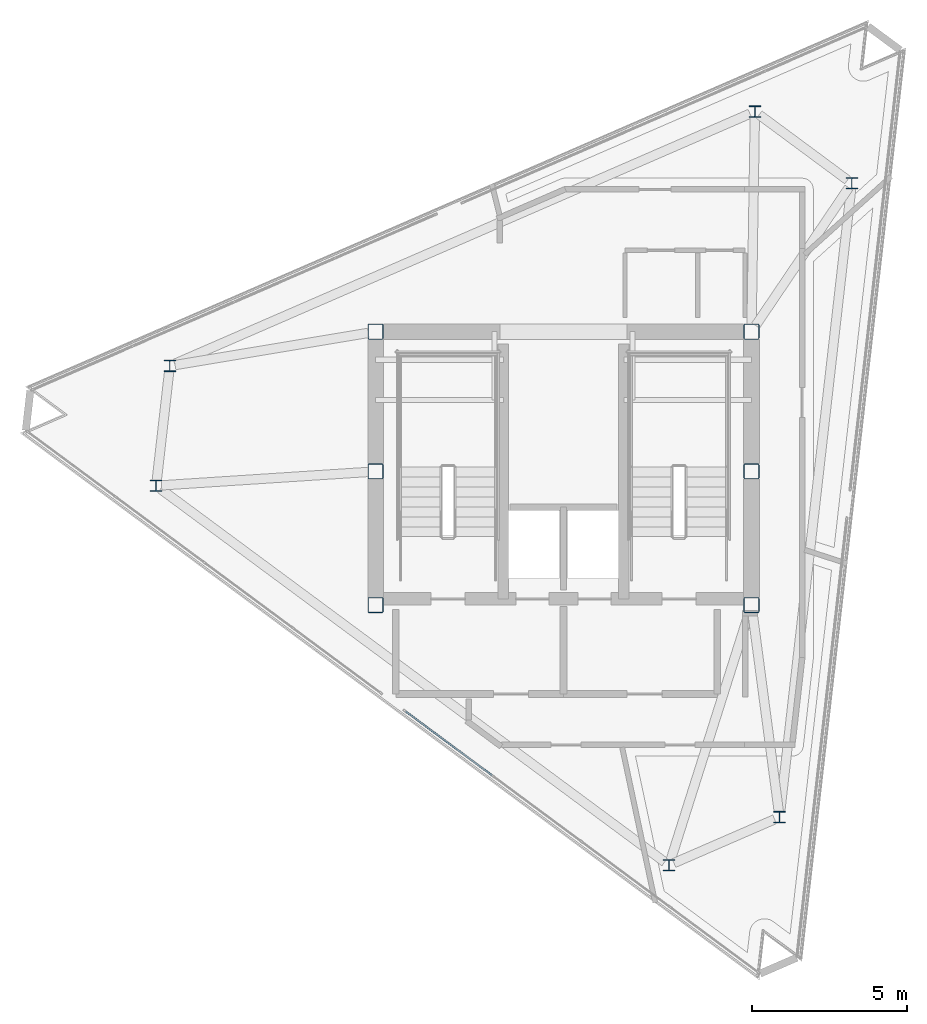
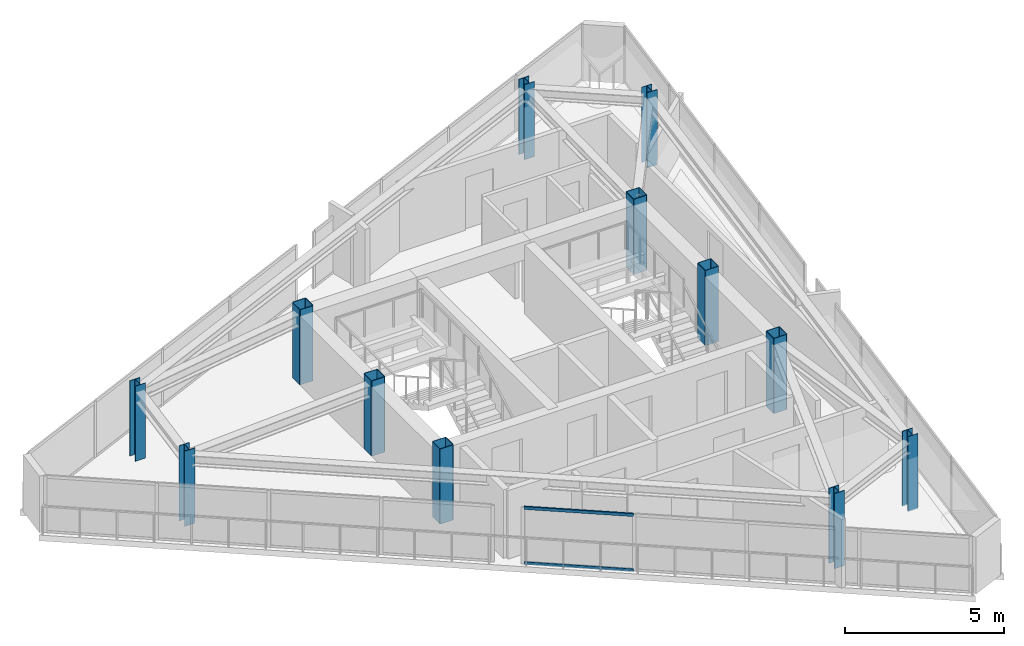
# One storey, part 1 of 9: 12 columns, 2 members, 1 element without a shape of its own.
"""IFC4 building model written with IfcOpenShell, lengths in metres."""

from ifc_helpers import new_model, si_unit, direction, frame, origin, origin_2d, place, context, subcontext, project, spatial, rectangle, hollow_rectangle, i_section, extrude, material, layer, layer_set, material_profile, profile_set, type_object, element, aggregate, save


model = new_model("IFC4")

# Units and contexts
model_context = context("Model", 3, precision=1e-05, world=origin(), true_north=direction((0.0, 1.0)))
body_context = subcontext(model_context, "Body", "Model", "MODEL_VIEW")
ifc_project = project(units=[si_unit("LENGTHUNIT", "METRE"), si_unit("AREAUNIT", "SQUARE_METRE"), si_unit("VOLUMEUNIT", "CUBIC_METRE"), si_unit("PLANEANGLEUNIT", "RADIAN"), si_unit("MASSUNIT", "GRAM", prefix="KILO")], contexts=[model_context])

# Site, building, storey
site_placement = place(None, origin())
site = spatial("IfcSite", under=ifc_project, at=site_placement, CompositionType="ELEMENT")
building_placement = place(site_placement, origin())
building = spatial("IfcBuilding", under=site, at=building_placement, Name="Rocaltana Carrier Exchange", CompositionType="ELEMENT")
storey_placement = place(building_placement, frame((0.0, 0.0, 249.1201171875)))
storey = spatial("IfcBuildingStorey", under=building, at=storey_placement, Name="L79", CompositionType="ELEMENT", Elevation=249.1201171875)

# Columns
ifc_material_1 = material(Name="Steel S460", Category="steel")
ifc_material_profile_1 = material_profile(ifc_material_1, hollow_rectangle(XDim=0.5, YDim=0.5, WallThickness=0.02001953125, InnerFilletRadius=0.02001953125, OuterFilletRadius=0.0400390625, at=origin_2d()), Name="HSS500X500X20")
ifc_profile_set_1 = profile_set([ifc_material_profile_1], Name="Steel S460")
column_type_1 = type_object("IfcColumnType", Name="Core Crown Column HSS500", PredefinedType="COLUMN", material=ifc_profile_set_1)
for number, where, z_axis, x_axis, name in (
    (1, (-6.050048828125, 4.5, 0.0), (0.0, 0.0, 1.0), (1.0, 0.0, 0.0), "L79 Core Mega-Column MC1"),
    (2, (6.050048828125, 4.5, 0.0), (0.0, 0.0, 1.0), (1.0, 0.0, 0.0), "L79 Core Mega-Column MC2"),
    (3, (-6.050048828125, 0.0, 0.0), (0.0, 0.0, 1.0), (1.0, 0.0, 0.0), "L79 Core Mega-Column MC3"),
    (4, (6.050048828125, 0.0, 0.0), (0.0, 0.0, 1.0), (1.0, 0.0, 0.0), "L79 Core Mega-Column MC4"),
    (5, (-6.050048828125, -4.300048828125, 0.0), (0.0, 0.0, 1.0), (1.0, 0.0, 0.0), "L79 Core Mega-Column MC5"),
    (6, (6.050048828125, -4.300048828125, 0.0), (0.0, 0.0, 1.0), (1.0, 0.0, 0.0), "L79 Core Mega-Column MC6"),
):
    element("IfcColumn", number, at=place(storey_placement, frame(where, z_axis=z_axis, x_axis=x_axis)), inside=storey, type_object=column_type_1, Name=name, PredefinedType="COLUMN", context=body_context, shape_type="SweptSolid", body=[
        extrude(hollow_rectangle(XDim=0.5, YDim=0.5, WallThickness=0.02001953125, InnerFilletRadius=0.02001953125, OuterFilletRadius=0.0400390625, at=origin_2d()), origin(), (0.0, 0.0, 1.0), 2.8798828125),
    ])
ifc_material_2 = material(Name="Steel S355", Category="steel")
ifc_material_profile_2 = material_profile(ifc_material_2, i_section(OverallWidth=0.37109375, OverallDepth=0.364013671875, WebThickness=0.01318359375, FlangeThickness=0.021728515625, FilletRadius=0.014892578125, at=origin_2d()), Name="W14X109")
ifc_profile_set_2 = profile_set([ifc_material_profile_2], Name="Steel S355")
column_type_2 = type_object("IfcColumnType", Name="Crown Column W14X109", PredefinedType="COLUMN", material=ifc_profile_set_2)
for number, where, z_axis, x_axis, name in (
    (7, (6.953125, -11.126708984375, 0.0), (0.0, 0.0, 1.0), (1.0, 0.0, 0.0), "L79 Crown Column CC01"),
    (8, (9.27783203125, 9.27734375, 0.0), (0.0, 0.0, 1.0), (1.0, 0.0, 0.0), "L79 Crown Column CC02"),
    (9, (6.159423828125, 11.5849609375, 0.0), (0.0, 0.0, 1.0), (1.0, 0.0, 0.0), "L79 Crown Column CC03"),
    (10, (-12.67333984375, 3.396240234375, 0.0), (0.0, 0.0, 1.0), (1.0, 0.0, 0.0), "L79 Crown Column CC04"),
    (11, (-13.112548828125, -0.458251953125, 0.0), (0.0, 0.0, 1.0), (1.0, 0.0, 0.0), "L79 Crown Column CC05"),
    (12, (3.3955078125, -12.673583984375, 0.0), (0.0, 0.0, 1.0), (1.0, 0.0, 0.0), "L79 Crown Column CC06"),
):
    element("IfcColumn", number, at=place(storey_placement, frame(where, z_axis=z_axis, x_axis=x_axis)), inside=storey, type_object=column_type_2, Name=name, PredefinedType="COLUMN", context=body_context, shape_type="SweptSolid", body=[
        extrude(i_section(OverallWidth=0.37109375, OverallDepth=0.364013671875, WebThickness=0.01318359375, FlangeThickness=0.021728515625, FilletRadius=0.014892578125, at=origin_2d()), origin(), (0.0, 0.0, 1.0), 2.8798828125),
    ])

# Curtain wall, members
ifc_material_3 = material(Name="Aluminium 6063-T6", Category="aluminium")
ifc_layer = layer(ifc_material_3, 0.110107421875)
ifc_layer_set = layer_set([ifc_layer], Name="Aluminium 6063-T6")
curtain_wall_type = type_object("IfcCurtainWallType", Name="Crown Lantern Faceted Curtain Wall CW-06", PredefinedType="NOTDEFINED", material=ifc_layer_set)
curtain_wall_placement = place(storey_placement, origin())
curtain_wall = element("IfcCurtainWall", 13, at=curtain_wall_placement, inside=storey, type_object=curtain_wall_type, Name="L79 CW-06 Run CW06-L79-F3S2", PredefinedType="NOTDEFINED")
ifc_material_4 = material(Name="Aluminium 6063-T6", Category="aluminium")
ifc_material_profile_3 = material_profile(ifc_material_4, rectangle(XDim=0.054931640625, YDim=0.110107421875, at=origin_2d()), Name="AL-55X110")
ifc_profile_set_3 = profile_set([ifc_material_profile_3], Name="Aluminium 6063-T6")
member_type = type_object("IfcMemberType", Name="CW-06 Transom AL-55X110", PredefinedType="USERDEFINED", material=ifc_profile_set_3)
member_1_placement = place(storey_placement, frame((-5.084716796875, -7.720703125, 0.02734375), z_axis=(0.80386142553, -0.594816617577, 0.0), x_axis=(0.594816617577, 0.80386142553, 0.0)))
member_1 = element("IfcMember", 14, at=member_1_placement, type_object=member_type, Name="CW-06 transom 1.1", ObjectType="TRANSOM", PredefinedType="USERDEFINED", context=body_context, shape_type="SweptSolid", body=[
    extrude(rectangle(XDim=0.054931640625, YDim=0.110107421875, at=origin_2d()), origin(), (0.0, 0.0, 1.0), 3.467529296875),
])
member_2_placement = place(storey_placement, frame((-5.084716796875, -7.720703125, 2.140380859375), z_axis=(0.80386142553, -0.594816617577, 0.0), x_axis=(0.594816617577, 0.80386142553, 0.0)))
member_2 = element("IfcMember", 15, at=member_2_placement, type_object=member_type, Name="CW-06 transom 1.2", ObjectType="TRANSOM", PredefinedType="USERDEFINED", context=body_context, shape_type="SweptSolid", body=[
    extrude(rectangle(XDim=0.054931640625, YDim=0.110107421875, at=origin_2d()), origin(), (0.0, 0.0, 1.0), 3.467529296875),
])
aggregate(curtain_wall, [member_1, member_2])

save(model, "model.ifc")
